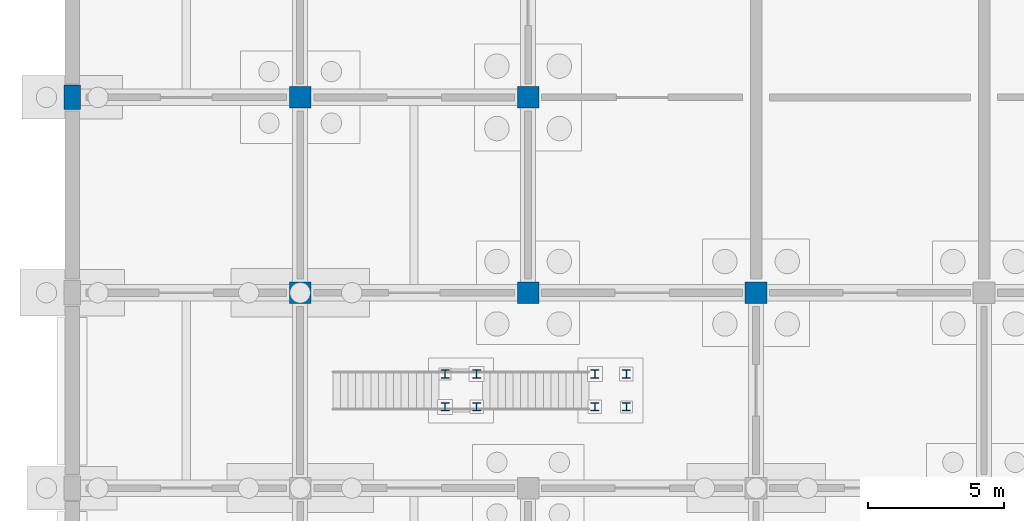
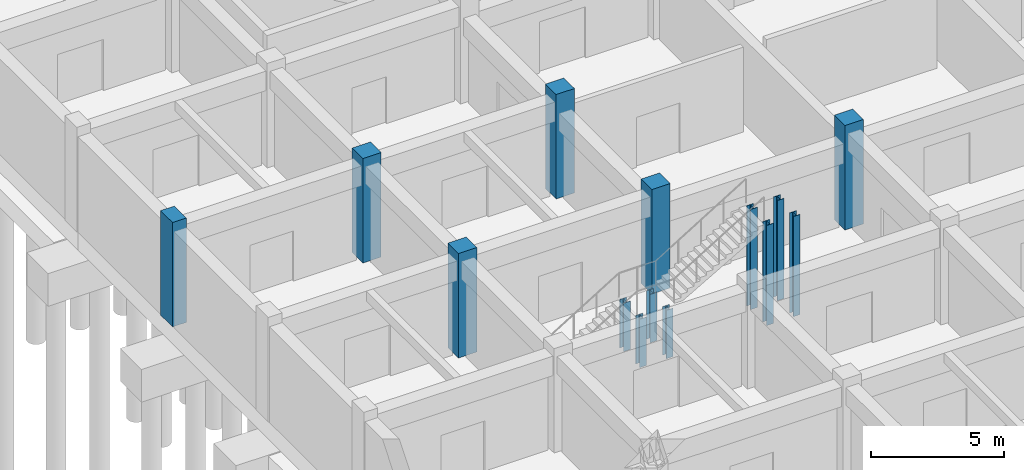
# One storey, part 6 of 38: 14 columns.
"""IFC4 building model written with IfcOpenShell, lengths in metres."""

from ifc_helpers import new_model, si_unit, derived_unit, direction, frame, origin, origin_2d, place, context, subcontext, project, spatial, rectangle, i_section, extrude, material, material_profile, profile_set, type_object, element, save


model = new_model("IFC4")

# Units and contexts
model_context = context("Model", 3, precision=1e-05, world=origin(), true_north=direction((0.0, 1.0)))
body_context = subcontext(model_context, "Body", "Model", "MODEL_VIEW")
ifc_project = project(units=[si_unit("LENGTHUNIT", "METRE"), si_unit("AREAUNIT", "SQUARE_METRE"), si_unit("VOLUMEUNIT", "CUBIC_METRE"), si_unit("PLANEANGLEUNIT", "RADIAN"), si_unit("MASSUNIT", "GRAM", prefix="KILO"), derived_unit("THERMALTRANSMITTANCEUNIT", [(si_unit("MASSUNIT", "GRAM", prefix="KILO"), 1), (si_unit("TIMEUNIT", "SECOND"), -3), (si_unit("THERMODYNAMICTEMPERATUREUNIT", "KELVIN"), -1)])], contexts=[model_context])

# Site, building, storey
site_placement = place(None, origin())
site = spatial("IfcSite", under=ifc_project, at=site_placement, CompositionType="ELEMENT")
building_placement = place(site_placement, origin())
building = spatial("IfcBuilding", under=site, at=building_placement, Name="Veldstrom Oceanarium and Marine Research Institute", CompositionType="ELEMENT")
storey_placement = place(building_placement, frame((0.0, 0.0, -9.60009765625)))
storey = spatial("IfcBuildingStorey", under=building, at=storey_placement, Name="B02", CompositionType="ELEMENT", Elevation=-9.60009765625)

# Columns
ifc_material_1 = material(Name="Concrete C50/60", Category="concrete")
ifc_material_profile_1 = material_profile(ifc_material_1, rectangle(XDim=0.800048828125, YDim=0.800048828125, at=origin_2d()), Name="RC-COL-800x800")
ifc_profile_set_1 = profile_set([ifc_material_profile_1], Name="Concrete C50/60")
column_type_1 = type_object("IfcColumnType", Name="STR-COL-C04", PredefinedType="COLUMN", material=ifc_profile_set_1)
for number, where, z_axis, x_axis, name in (
    (1, (8.39990234375, 21.60009765625, 0.0), (0.0, 0.0, 1.0), (1.0, 0.0, 0.0), "Column C04 2/D B02"),
    (2, (8.39990234375, 28.800048828125, 0.0), (0.0, 0.0, 1.0), (1.0, 0.0, 0.0), "Column C04 2/E B02"),
    (3, (16.800048828125, 21.60009765625, 0.0), (0.0, 0.0, 1.0), (1.0, 0.0, 0.0), "Column C04 3/D B02"),
    (4, (16.800048828125, 28.800048828125, 0.0), (0.0, 0.0, 1.0), (1.0, 0.0, 0.0), "Column C04 3/E B02"),
    (5, (25.199951171875, 21.60009765625, 0.0), (0.0, 0.0, 1.0), (1.0, 0.0, 0.0), "Column C04 4/D B02"),
):
    element("IfcColumn", number, at=place(storey_placement, frame(where, z_axis=z_axis, x_axis=x_axis)), inside=storey, type_object=column_type_1, Name=name, PredefinedType="COLUMN", context=body_context, shape_type="SweptSolid", body=[
        extrude(rectangle(XDim=0.800048828125, YDim=0.800048828125, at=origin_2d()), origin(), (0.0, 0.0, 1.0), 4.800048828125),
    ])
ifc_material_2 = material(Name="Concrete C50/60", Category="concrete")
ifc_material_profile_2 = material_profile(ifc_material_2, rectangle(XDim=0.60009765625, YDim=0.89990234375, at=origin_2d()), Name="RC-COL-900x600")
ifc_profile_set_2 = profile_set([ifc_material_profile_2], Name="Concrete C50/60")
column_type_2 = type_object("IfcColumnType", Name="STR-COL-C11", PredefinedType="COLUMN", material=ifc_profile_set_2)
column_placement = place(storey_placement, frame((0.0, 28.800048828125, 0.0), z_axis=(0.0, 0.0, 1.0), x_axis=(1.0, 0.0, 0.0)))
element("IfcColumn", 6, at=column_placement, inside=storey, type_object=column_type_2, Name="Column C11 1/E B02", PredefinedType="COLUMN", context=body_context, shape_type="SweptSolid", body=[
    extrude(rectangle(XDim=0.60009765625, YDim=0.89990234375, at=origin_2d()), origin(), (0.0, 0.0, 1.0), 4.800048828125),
])
ifc_material_3 = material(Name="Steel S355JR", Category="steel")
ifc_material_profile_3 = material_profile(ifc_material_3, i_section(OverallWidth=0.300048828125, OverallDepth=0.300048828125, WebThickness=0.010986328125, FlangeThickness=0.01904296875, FilletRadius=0.027099609375, at=origin_2d()), Name="HEB 300")
ifc_profile_set_3 = profile_set([ifc_material_profile_3], Name="Steel S355JR")
column_type_3 = type_object("IfcColumnType", Name="STR-COL-C16", PredefinedType="COLUMN", material=ifc_profile_set_3)
for number, where, z_axis, x_axis, name in (
    (7, (13.739990234375, 17.39501953125, 0.0), (0.0, 0.0, 1.0), (1.0, 0.0, 0.0), "Gallery Stair MID Column ST5-01-1"),
    (8, (14.89990234375, 17.39501953125, 0.0), (0.0, 0.0, 1.0), (1.0, 0.0, 0.0), "Gallery Stair MID Column ST5-01-2"),
    (9, (13.739990234375, 18.60498046875, 0.0), (0.0, 0.0, 1.0), (1.0, 0.0, 0.0), "Gallery Stair MID Column ST5-01-3"),
    (10, (14.89990234375, 18.60498046875, 0.0), (0.0, 0.0, 1.0), (1.0, 0.0, 0.0), "Gallery Stair MID Column ST5-01-4"),
):
    element("IfcColumn", number, at=place(storey_placement, frame(where, z_axis=z_axis, x_axis=x_axis)), inside=storey, type_object=column_type_3, Name=name, PredefinedType="COLUMN", context=body_context, shape_type="SweptSolid", body=[
        extrude(i_section(OverallWidth=0.300048828125, OverallDepth=0.300048828125, WebThickness=0.010986328125, FlangeThickness=0.01904296875, FilletRadius=0.027099609375, at=origin_2d()), origin(), (0.0, 0.0, 1.0), 2.22021484375),
    ])
for number, where, z_axis, x_axis, name in (
    (11, (19.260009765625, 17.39501953125, 0.0), (0.0, 0.0, 1.0), (1.0, 0.0, 0.0), "Gallery Stair TOP Column ST5-01-1"),
    (12, (20.419921875, 17.39501953125, 0.0), (0.0, 0.0, 1.0), (1.0, 0.0, 0.0), "Gallery Stair TOP Column ST5-01-2"),
    (13, (19.260009765625, 18.60498046875, 0.0), (0.0, 0.0, 1.0), (1.0, 0.0, 0.0), "Gallery Stair TOP Column ST5-01-3"),
    (14, (20.419921875, 18.60498046875, 0.0), (0.0, 0.0, 1.0), (1.0, 0.0, 0.0), "Gallery Stair TOP Column ST5-01-4"),
):
    element("IfcColumn", number, at=place(storey_placement, frame(where, z_axis=z_axis, x_axis=x_axis)), inside=storey, type_object=column_type_3, Name=name, PredefinedType="COLUMN", context=body_context, shape_type="SweptSolid", body=[
        extrude(i_section(OverallWidth=0.300048828125, OverallDepth=0.300048828125, WebThickness=0.010986328125, FlangeThickness=0.01904296875, FilletRadius=0.027099609375, at=origin_2d()), origin(), (0.0, 0.0, 1.0), 4.60009765625),
    ])

save(model, "model.ifc")
